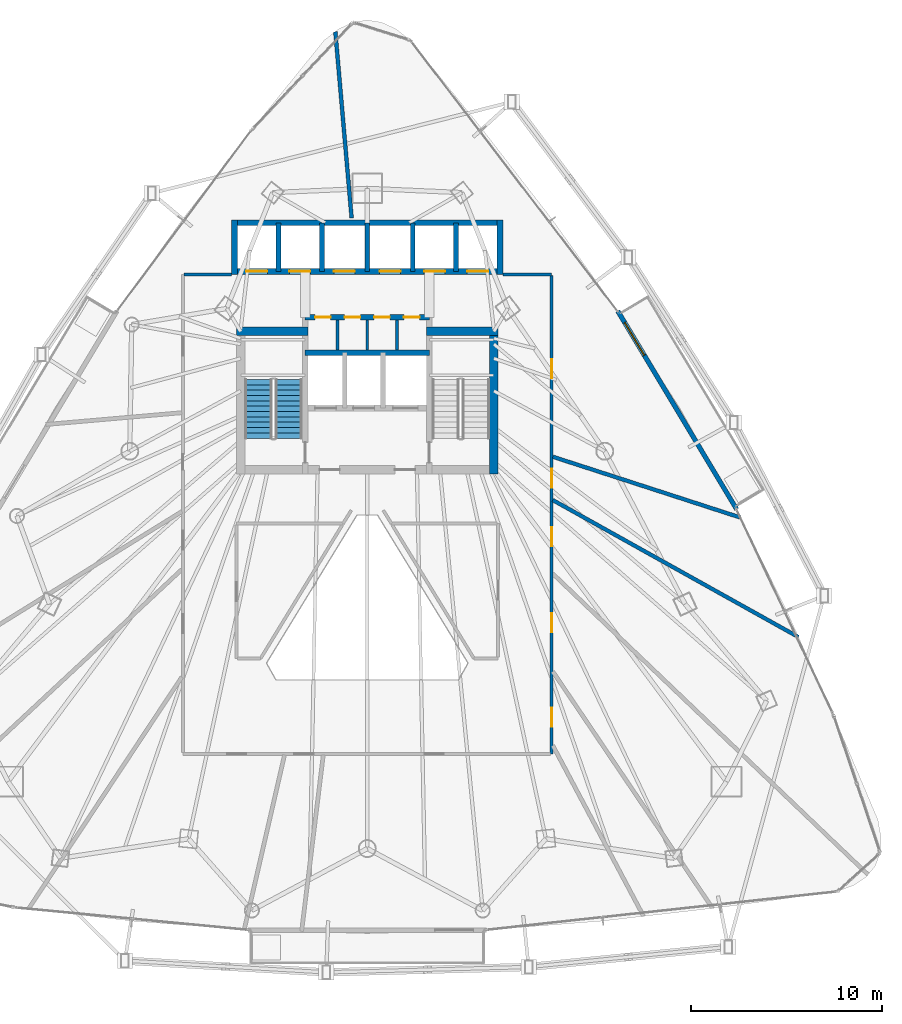
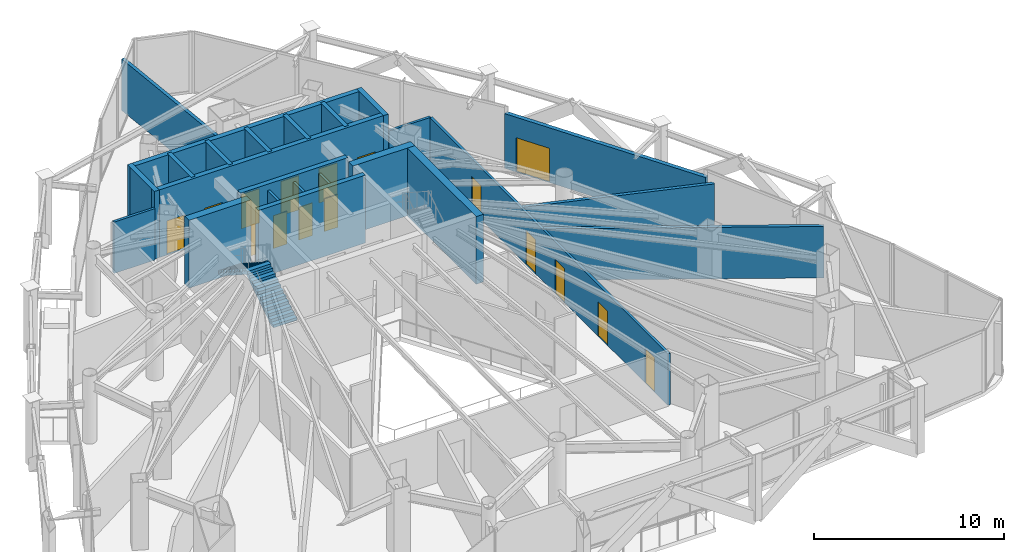
# One storey, part 29 of 33: 24 walls, 16 doors, 2 stair flights, 16 openings, 1 element without a shape of its own.
"""IFC4 building model written with IfcOpenShell, lengths in metres."""

from ifc_helpers import new_model, si_unit, direction, frame, frame_2d, origin, place, context, subcontext, project, spatial, polyline, rectangle, outline, extrude, material, layer, layer_set, type_object, element, fill, aggregate, save


model = new_model("IFC4")

# Units and contexts
model_context = context("Model", 3, precision=1e-05, world=origin(), true_north=direction((0.0, 1.0)))
body_context = subcontext(model_context, "Body", "Model", "MODEL_VIEW")
ifc_project = project(units=[si_unit("LENGTHUNIT", "METRE"), si_unit("AREAUNIT", "SQUARE_METRE"), si_unit("VOLUMEUNIT", "CUBIC_METRE"), si_unit("PLANEANGLEUNIT", "RADIAN"), si_unit("MASSUNIT", "GRAM", prefix="KILO")], contexts=[model_context])

# Site, building, storey
site_placement = place(None, origin())
site = spatial("IfcSite", under=ifc_project, at=site_placement, CompositionType="ELEMENT")
building_placement = place(site_placement, origin())
building = spatial("IfcBuilding", under=site, at=building_placement, Name="Orvanel Arch Residences", CompositionType="ELEMENT")
storey_placement = place(building_placement, frame((0.0, 0.0, 97.25)))
storey = spatial("IfcBuildingStorey", under=building, at=storey_placement, Name="L27", CompositionType="ELEMENT", Elevation=97.25)

# Wall, opening, door
ifc_material_1 = material(Name="Precast concrete N50 (50 MPa)", Category="concrete")
ifc_layer_1 = layer(ifc_material_1, 0.239990234375)
ifc_layer_set_1 = layer_set([ifc_layer_1], Name="Precast concrete N50 (50 MPa)")
wall_type_1 = type_object("IfcWallType", Name="EW-BAL-240", PredefinedType="SOLIDWALL", material=ifc_layer_set_1)
wall_1_placement = place(storey_placement, frame((52.333984375, 24.60595703125, 0.0), z_axis=(0.0, 0.0, 1.0), x_axis=(-0.514356228613, 0.857576626365, 0.0)))
wall_1 = element("IfcWall", 1, at=wall_1_placement, inside=storey, type_object=wall_type_1, Name="L27 Balcony Threshold Wall Face 3", PredefinedType="SOLIDWALL", context=body_context, shape_type="SweptSolid", body=[
    extrude(rectangle(XDim=12.0947265625, YDim=0.239990234375, at=frame_2d((6.04736328125, 0.0))), origin(), (0.0, 0.0, 1.0), 3.513916015625),
])
opening_1_placement = place(wall_1_placement, frame((9.39697265625, 0.0, 0.0)))
opening_1 = element("IfcOpeningElement", 2, at=opening_1_placement, cuts=wall_1, Name="Opening DT-200", PredefinedType="OPENING", context=body_context, shape_type="SweptSolid", body=[
    extrude(rectangle(XDim=2.0, YDim=2.199951171875, at=frame_2d((1.0, 1.10009765625))), frame((0.0, 0.1298828125, 0.0), z_axis=(0.0, -1.0, 0.0), x_axis=(1.0, 0.0, 0.0)), (0.0, 0.0, 1.0), 0.260009765625),
])
ifc_material_2 = material(Name="Bronze-anodised aluminium AA6063-T6", Category="aluminium")
door_type_1 = type_object("IfcDoorType", Name="DR-TER-2000", OperationType="NOTDEFINED", PredefinedType="DOOR", material=ifc_material_2)
door_1_placement = place(opening_1_placement, origin())
door_1 = element("IfcDoor", 3, at=door_1_placement, inside=storey, type_object=door_type_1, Name="DR-L27-BAL-F3 L27 Planted Balcony Access Door Face 3", OperationType="SINGLE_SWING_LEFT", OverallHeight=2.199951171875, OverallWidth=2.0, PredefinedType="DOOR", context=body_context, shape_type="SweptSolid", body=[
    extrude(rectangle(XDim=2.0, YDim=2.199951171875, at=frame_2d((1.0, 1.10009765625))), frame((0.0, 0.02490234375, 0.0), z_axis=(0.0, -1.0, 0.0), x_axis=(1.0, 0.0, 0.0)), (0.0, 0.0, 1.0), 0.050048828125),
])
fill(opening_1, door_1)

# Walls
ifc_material_3 = material(Name="Concrete N50 (50 MPa)", Category="concrete")
ifc_layer_2 = layer(ifc_material_3, 0.25)
ifc_layer_set_2 = layer_set([ifc_layer_2], Name="Concrete N50 (50 MPa)")
wall_type_2 = type_object("IfcWallType", Name="SW-CORE-250", PredefinedType="SHEAR", material=ifc_layer_set_2)
for number, where, z_axis, x_axis, name in (
    (4, (28.35009765625, 37.050048828125, 0.0), (0.0, 0.0, 1.0), (0.0, 1.0, 0.0), "L27 Passenger Lift Inter-Shaft Wall P13"),
    (5, (30.625, 37.050048828125, 0.0), (0.0, 0.0, 1.0), (0.0, 1.0, 0.0), "L27 Passenger Lift Inter-Shaft Wall P35"),
    (6, (33.0, 37.050048828125, 0.0), (0.0, 0.0, 1.0), (0.0, 1.0, 0.0), "L27 Passenger Lift Inter-Shaft Wall P56"),
    (7, (35.375, 37.050048828125, 0.0), (0.0, 0.0, 1.0), (0.0, 1.0, 0.0), "L27 Passenger Lift Inter-Shaft Wall P64"),
    (8, (37.64990234375, 37.050048828125, 0.0), (0.0, 0.0, 1.0), (0.0, 1.0, 0.0), "L27 Passenger Lift Inter-Shaft Wall P42"),
):
    element("IfcWall", number, at=place(storey_placement, frame(where, z_axis=z_axis, x_axis=x_axis)), inside=storey, type_object=wall_type_2, Name=name, PredefinedType="SHEAR", context=body_context, shape_type="SweptSolid", body=[
        extrude(rectangle(XDim=2.550048828125, YDim=0.25, at=frame_2d((1.27490234375, 0.0))), origin(), (0.0, 0.0, 1.0), 4.35009765625),
    ])
ifc_material_4 = material(Name="Concrete S80 (80 MPa)", Category="concrete")
ifc_layer_3 = layer(ifc_material_4, 0.300048828125)
ifc_layer_set_3 = layer_set([ifc_layer_3], Name="Concrete S80 (80 MPa)")
wall_type_3 = type_object("IfcWallType", Name="SW-CORE-300", PredefinedType="SHEAR", material=ifc_layer_set_3)
wall_2_placement = place(storey_placement, frame((29.75, 32.800048828125, 0.0), z_axis=(0.0, 0.0, 1.0), x_axis=(1.0, 0.0, 0.0)))
element("IfcWall", 9, at=wall_2_placement, inside=storey, type_object=wall_type_3, Name="L27 Emergency Lift Back Core Shear Wall", PredefinedType="SHEAR", context=body_context, shape_type="SweptSolid", body=[
    extrude(rectangle(XDim=6.5, YDim=0.300048828125, at=frame_2d((3.25, 0.0))), origin(), (0.0, 0.0, 1.0), 4.35009765625),
])

# Wall, openings, doors
wall_3_placement = place(storey_placement, frame((29.75, 34.64990234375, 0.0), z_axis=(0.0, 0.0, 1.0), x_axis=(1.0, 0.0, 0.0)))
wall_3 = element("IfcWall", 10, at=wall_3_placement, inside=storey, type_object=wall_type_3, Name="L27 Core Service Band North Shear Wall", PredefinedType="SHEAR", context=body_context, shape_type="SweptSolid", body=[
    extrude(rectangle(XDim=6.5, YDim=0.300048828125, at=frame_2d((3.25, 0.0))), origin(), (0.0, 0.0, 1.0), 4.35009765625),
])
opening_2_placement = place(wall_3_placement, frame((0.514892578125, 0.0, 0.0)))
opening_2 = element("IfcOpeningElement", 11, at=opening_2_placement, cuts=wall_3, Name="Opening DS-082", PredefinedType="OPENING", context=body_context, shape_type="SweptSolid", body=[
    extrude(rectangle(XDim=0.820068359375, YDim=2.10009765625, at=frame_2d((0.41015625, 1.050048828125))), frame((0.0, 0.159912109375, 0.0), z_axis=(0.0, -1.0, 0.0), x_axis=(1.0, 0.0, 0.0)), (0.0, 0.0, 1.0), 0.320068359375),
])
opening_3_placement = place(wall_3_placement, frame((2.06494140625, 0.0, 0.0)))
opening_3 = element("IfcOpeningElement", 12, at=opening_3_placement, cuts=wall_3, Name="Opening DS-082", PredefinedType="OPENING", context=body_context, shape_type="SweptSolid", body=[
    extrude(rectangle(XDim=0.820068359375, YDim=2.10009765625, at=frame_2d((0.41015625, 1.050048828125))), frame((0.0, 0.159912109375, 0.0), z_axis=(0.0, -1.0, 0.0), x_axis=(1.0, 0.0, 0.0)), (0.0, 0.0, 1.0), 0.320068359375),
])
opening_4_placement = place(wall_3_placement, frame((3.614990234375, 0.0, 0.0)))
opening_4 = element("IfcOpeningElement", 13, at=opening_4_placement, cuts=wall_3, Name="Opening DS-082", PredefinedType="OPENING", context=body_context, shape_type="SweptSolid", body=[
    extrude(rectangle(XDim=0.820068359375, YDim=2.10009765625, at=frame_2d((0.41015625, 1.050048828125))), frame((0.0, 0.159912109375, 0.0), z_axis=(0.0, -1.0, 0.0), x_axis=(1.0, 0.0, 0.0)), (0.0, 0.0, 1.0), 0.320068359375),
])
opening_5_placement = place(wall_3_placement, frame((5.1650390625, 0.0, 0.0)))
opening_5 = element("IfcOpeningElement", 14, at=opening_5_placement, cuts=wall_3, Name="Opening DS-082", PredefinedType="OPENING", context=body_context, shape_type="SweptSolid", body=[
    extrude(rectangle(XDim=0.820068359375, YDim=2.10009765625, at=frame_2d((0.41015625, 1.050048828125))), frame((0.0, 0.159912109375, 0.0), z_axis=(0.0, -1.0, 0.0), x_axis=(1.0, 0.0, 0.0)), (0.0, 0.0, 1.0), 0.320068359375),
])
ifc_material_5 = material(Name="Galvanised steel fire-resisting door assembly", Category="steel")
door_type_2 = type_object("IfcDoorType", Name="DR-SVC-820", OperationType="NOTDEFINED", PredefinedType="DOOR", material=ifc_material_5)
door_2_placement = place(opening_2_placement, origin())
door_2 = element("IfcDoor", 15, at=door_2_placement, inside=storey, type_object=door_type_2, Name="DR-L27-CSVC-1 L27 Linen Store Door", OperationType="SINGLE_SWING_LEFT", OverallHeight=2.10009765625, OverallWidth=0.820068359375, PredefinedType="DOOR", context=body_context, shape_type="SweptSolid", body=[
    extrude(rectangle(XDim=0.820068359375, YDim=2.10009765625, at=frame_2d((0.41015625, 1.050048828125))), frame((0.0, 0.02490234375, 0.0), z_axis=(0.0, -1.0, 0.0), x_axis=(1.0, 0.0, 0.0)), (0.0, 0.0, 1.0), 0.050048828125),
])
fill(opening_2, door_2)
door_3_placement = place(opening_3_placement, origin())
door_3 = element("IfcDoor", 16, at=door_3_placement, inside=storey, type_object=door_type_2, Name="DR-L27-CSVC-2 L27 Cleaner's Store Door", OperationType="SINGLE_SWING_LEFT", OverallHeight=2.10009765625, OverallWidth=0.820068359375, PredefinedType="DOOR", context=body_context, shape_type="SweptSolid", body=[
    extrude(rectangle(XDim=0.820068359375, YDim=2.10009765625, at=frame_2d((0.41015625, 1.050048828125))), frame((0.0, 0.02490234375, 0.0), z_axis=(0.0, -1.0, 0.0), x_axis=(1.0, 0.0, 0.0)), (0.0, 0.0, 1.0), 0.050048828125),
])
fill(opening_3, door_3)
door_4_placement = place(opening_4_placement, origin())
door_4 = element("IfcDoor", 17, at=door_4_placement, inside=storey, type_object=door_type_2, Name="DR-L27-CSVC-3 L27 Electrical Meter Store Door", OperationType="SINGLE_SWING_LEFT", OverallHeight=2.10009765625, OverallWidth=0.820068359375, PredefinedType="DOOR", context=body_context, shape_type="SweptSolid", body=[
    extrude(rectangle(XDim=0.820068359375, YDim=2.10009765625, at=frame_2d((0.41015625, 1.050048828125))), frame((0.0, 0.02490234375, 0.0), z_axis=(0.0, -1.0, 0.0), x_axis=(1.0, 0.0, 0.0)), (0.0, 0.0, 1.0), 0.050048828125),
])
fill(opening_4, door_4)
door_5_placement = place(opening_5_placement, origin())
door_5 = element("IfcDoor", 18, at=door_5_placement, inside=storey, type_object=door_type_2, Name="DR-L27-CSVC-4 L27 Housekeeping Supply Store Door", OperationType="SINGLE_SWING_LEFT", OverallHeight=2.10009765625, OverallWidth=0.820068359375, PredefinedType="DOOR", context=body_context, shape_type="SweptSolid", body=[
    extrude(rectangle(XDim=0.820068359375, YDim=2.10009765625, at=frame_2d((0.41015625, 1.050048828125))), frame((0.0, 0.02490234375, 0.0), z_axis=(0.0, -1.0, 0.0), x_axis=(1.0, 0.0, 0.0)), (0.0, 0.0, 1.0), 0.050048828125),
])
fill(opening_5, door_5)

wall_4_placement = place(storey_placement, frame((40.10009765625, 37.050048828125, 0.0), z_axis=(0.0, 0.0, 1.0), x_axis=(-1.0, 0.0, 0.0)))
wall_4 = element("IfcWall", 19, at=wall_4_placement, inside=storey, type_object=wall_type_3, Name="L27 Passenger Lift Bank Front Shear Wall", PredefinedType="SHEAR", context=body_context, shape_type="SweptSolid", body=[
    extrude(rectangle(XDim=14.2001953125, YDim=0.300048828125, at=frame_2d((7.10009765625, 0.0))), origin(), (0.0, 0.0, 1.0), 4.35009765625),
])
opening_6_placement = place(wall_4_placement, frame((12.324951171875, 0.0, 0.0)))
opening_6 = element("IfcOpeningElement", 20, at=opening_6_placement, cuts=wall_4, Name="Opening LD-110", PredefinedType="OPENING", context=body_context, shape_type="SweptSolid", body=[
    extrude(rectangle(XDim=1.10009765625, YDim=2.199951171875, at=frame_2d((0.550048828125, 1.10009765625))), frame((0.0, 0.159912109375, 0.0), z_axis=(0.0, -1.0, 0.0), x_axis=(1.0, 0.0, 0.0)), (0.0, 0.0, 1.0), 0.320068359375),
])
opening_7_placement = place(wall_4_placement, frame((0.77490234375, 0.0, 0.0)))
opening_7 = element("IfcOpeningElement", 21, at=opening_7_placement, cuts=wall_4, Name="Opening LD-110", PredefinedType="OPENING", context=body_context, shape_type="SweptSolid", body=[
    extrude(rectangle(XDim=1.10009765625, YDim=2.199951171875, at=frame_2d((0.550048828125, 1.10009765625))), frame((0.0, 0.159912109375, 0.0), z_axis=(0.0, -1.0, 0.0), x_axis=(1.0, 0.0, 0.0)), (0.0, 0.0, 1.0), 0.320068359375),
])
opening_8_placement = place(wall_4_placement, frame((10.074951171875, 0.0, 0.0)))
opening_8 = element("IfcOpeningElement", 22, at=opening_8_placement, cuts=wall_4, Name="Opening LD-110", PredefinedType="OPENING", context=body_context, shape_type="SweptSolid", body=[
    extrude(rectangle(XDim=1.10009765625, YDim=2.199951171875, at=frame_2d((0.550048828125, 1.10009765625))), frame((0.0, 0.159912109375, 0.0), z_axis=(0.0, -1.0, 0.0), x_axis=(1.0, 0.0, 0.0)), (0.0, 0.0, 1.0), 0.320068359375),
])
opening_9_placement = place(wall_4_placement, frame((3.02490234375, 0.0, 0.0)))
opening_9 = element("IfcOpeningElement", 23, at=opening_9_placement, cuts=wall_4, Name="Opening LD-110", PredefinedType="OPENING", context=body_context, shape_type="SweptSolid", body=[
    extrude(rectangle(XDim=1.10009765625, YDim=2.199951171875, at=frame_2d((0.550048828125, 1.10009765625))), frame((0.0, 0.159912109375, 0.0), z_axis=(0.0, -1.0, 0.0), x_axis=(1.0, 0.0, 0.0)), (0.0, 0.0, 1.0), 0.320068359375),
])
opening_10_placement = place(wall_4_placement, frame((7.75, 0.0, 0.0)))
opening_10 = element("IfcOpeningElement", 24, at=opening_10_placement, cuts=wall_4, Name="Opening LD-110", PredefinedType="OPENING", context=body_context, shape_type="SweptSolid", body=[
    extrude(rectangle(XDim=1.10009765625, YDim=2.199951171875, at=frame_2d((0.550048828125, 1.10009765625))), frame((0.0, 0.159912109375, 0.0), z_axis=(0.0, -1.0, 0.0), x_axis=(1.0, 0.0, 0.0)), (0.0, 0.0, 1.0), 0.320068359375),
])
opening_11_placement = place(wall_4_placement, frame((5.35009765625, 0.0, 0.0)))
opening_11 = element("IfcOpeningElement", 25, at=opening_11_placement, cuts=wall_4, Name="Opening LD-110", PredefinedType="OPENING", context=body_context, shape_type="SweptSolid", body=[
    extrude(rectangle(XDim=1.10009765625, YDim=2.199951171875, at=frame_2d((0.550048828125, 1.10009765625))), frame((0.0, 0.159912109375, 0.0), z_axis=(0.0, -1.0, 0.0), x_axis=(1.0, 0.0, 0.0)), (0.0, 0.0, 1.0), 0.320068359375),
])
door_type_3 = type_object("IfcDoorType", Name="DR-LFT-1100", OperationType="NOTDEFINED", PredefinedType="DOOR", material=ifc_material_5)
door_6_placement = place(opening_6_placement, origin())
door_6 = element("IfcDoor", 26, at=door_6_placement, inside=storey, type_object=door_type_3, Name="LD-P1-L27 L27 Passenger Lift P1 Sliding Landing Door", OperationType="DOUBLE_DOOR_SLIDING", OverallHeight=2.199951171875, OverallWidth=1.10009765625, PredefinedType="DOOR", context=body_context, shape_type="SweptSolid", body=[
    extrude(rectangle(XDim=1.10009765625, YDim=2.199951171875, at=frame_2d((0.550048828125, 1.10009765625))), frame((0.0, 0.02490234375, 0.0), z_axis=(0.0, -1.0, 0.0), x_axis=(1.0, 0.0, 0.0)), (0.0, 0.0, 1.0), 0.050048828125),
])
fill(opening_6, door_6)
door_7_placement = place(opening_7_placement, origin())
door_7 = element("IfcDoor", 27, at=door_7_placement, inside=storey, type_object=door_type_3, Name="LD-P2-L27 L27 Passenger Lift P2 Sliding Landing Door", OperationType="DOUBLE_DOOR_SLIDING", OverallHeight=2.199951171875, OverallWidth=1.10009765625, PredefinedType="DOOR", context=body_context, shape_type="SweptSolid", body=[
    extrude(rectangle(XDim=1.10009765625, YDim=2.199951171875, at=frame_2d((0.550048828125, 1.10009765625))), frame((0.0, 0.02490234375, 0.0), z_axis=(0.0, -1.0, 0.0), x_axis=(1.0, 0.0, 0.0)), (0.0, 0.0, 1.0), 0.050048828125),
])
fill(opening_7, door_7)
door_8_placement = place(opening_8_placement, origin())
door_8 = element("IfcDoor", 28, at=door_8_placement, inside=storey, type_object=door_type_3, Name="LD-P3-L27 L27 Passenger Lift P3 Sliding Landing Door", OperationType="DOUBLE_DOOR_SLIDING", OverallHeight=2.199951171875, OverallWidth=1.10009765625, PredefinedType="DOOR", context=body_context, shape_type="SweptSolid", body=[
    extrude(rectangle(XDim=1.10009765625, YDim=2.199951171875, at=frame_2d((0.550048828125, 1.10009765625))), frame((0.0, 0.02490234375, 0.0), z_axis=(0.0, -1.0, 0.0), x_axis=(1.0, 0.0, 0.0)), (0.0, 0.0, 1.0), 0.050048828125),
])
fill(opening_8, door_8)
door_9_placement = place(opening_9_placement, origin())
door_9 = element("IfcDoor", 29, at=door_9_placement, inside=storey, type_object=door_type_3, Name="LD-P4-L27 L27 Passenger Lift P4 Sliding Landing Door", OperationType="DOUBLE_DOOR_SLIDING", OverallHeight=2.199951171875, OverallWidth=1.10009765625, PredefinedType="DOOR", context=body_context, shape_type="SweptSolid", body=[
    extrude(rectangle(XDim=1.10009765625, YDim=2.199951171875, at=frame_2d((0.550048828125, 1.10009765625))), frame((0.0, 0.02490234375, 0.0), z_axis=(0.0, -1.0, 0.0), x_axis=(1.0, 0.0, 0.0)), (0.0, 0.0, 1.0), 0.050048828125),
])
fill(opening_9, door_9)
door_10_placement = place(opening_10_placement, origin())
door_10 = element("IfcDoor", 30, at=door_10_placement, inside=storey, type_object=door_type_3, Name="LD-P5-L27 L27 Passenger Lift P5 Sliding Landing Door", OperationType="DOUBLE_DOOR_SLIDING", OverallHeight=2.199951171875, OverallWidth=1.10009765625, PredefinedType="DOOR", context=body_context, shape_type="SweptSolid", body=[
    extrude(rectangle(XDim=1.10009765625, YDim=2.199951171875, at=frame_2d((0.550048828125, 1.10009765625))), frame((0.0, 0.02490234375, 0.0), z_axis=(0.0, -1.0, 0.0), x_axis=(1.0, 0.0, 0.0)), (0.0, 0.0, 1.0), 0.050048828125),
])
fill(opening_10, door_10)
door_11_placement = place(opening_11_placement, origin())
door_11 = element("IfcDoor", 31, at=door_11_placement, inside=storey, type_object=door_type_3, Name="LD-P6-L27 L27 Passenger Lift P6 Sliding Landing Door", OperationType="DOUBLE_DOOR_SLIDING", OverallHeight=2.199951171875, OverallWidth=1.10009765625, PredefinedType="DOOR", context=body_context, shape_type="SweptSolid", body=[
    extrude(rectangle(XDim=1.10009765625, YDim=2.199951171875, at=frame_2d((0.550048828125, 1.10009765625))), frame((0.0, 0.02490234375, 0.0), z_axis=(0.0, -1.0, 0.0), x_axis=(1.0, 0.0, 0.0)), (0.0, 0.0, 1.0), 0.050048828125),
])
fill(opening_11, door_11)

# Walls
wall_5_placement = place(storey_placement, frame((25.89990234375, 39.60009765625, 0.0), z_axis=(0.0, 0.0, 1.0), x_axis=(1.0, 0.0, 0.0)))
element("IfcWall", 32, at=wall_5_placement, inside=storey, type_object=wall_type_3, Name="L27 Passenger Lift Bank North Shear Wall", PredefinedType="SHEAR", context=body_context, shape_type="SweptSolid", body=[
    extrude(rectangle(XDim=14.2001953125, YDim=0.300048828125, at=frame_2d((7.10009765625, 0.0))), origin(), (0.0, 0.0, 1.0), 4.35009765625),
])
for number, where, z_axis, x_axis, name in (
    (33, (26.050048828125, 36.89990234375, 0.0), (0.0, 0.0, 1.0), (0.0, 1.0, 0.0), "L27 Passenger Lift Bank West Shear Wall"),
    (34, (39.949951171875, 36.89990234375, 0.0), (0.0, 0.0, 1.0), (0.0, 1.0, 0.0), "L27 Passenger Lift Bank East Shear Wall"),
):
    element("IfcWall", number, at=place(storey_placement, frame(where, z_axis=z_axis, x_axis=x_axis)), inside=storey, type_object=wall_type_3, Name=name, PredefinedType="SHEAR", context=body_context, shape_type="SweptSolid", body=[
        extrude(rectangle(XDim=2.85009765625, YDim=0.300048828125, at=frame_2d((1.425048828125, 0.0))), origin(), (0.0, 0.0, 1.0), 4.35009765625),
    ])
ifc_layer_4 = layer(ifc_material_4, 0.449951171875)
ifc_layer_set_4 = layer_set([ifc_layer_4], Name="Concrete S80 (80 MPa)")
wall_type_4 = type_object("IfcWallType", Name="SW-CORE-450", PredefinedType="SHEAR", material=ifc_layer_set_4)
wall_6_placement = place(storey_placement, frame((26.14990234375, 33.925048828125, 0.0), z_axis=(0.0, 0.0, 1.0), x_axis=(1.0, 0.0, 0.0)))
element("IfcWall", 35, at=wall_6_placement, inside=storey, type_object=wall_type_4, Name="L27 West Stair North Shear Wall", PredefinedType="SHEAR", context=body_context, shape_type="SweptSolid", body=[
    extrude(rectangle(XDim=3.75, YDim=0.449951171875, at=frame_2d((1.875, 0.0))), origin(), (0.0, 0.0, 1.0), 4.35009765625),
])
wall_7_placement = place(storey_placement, frame((39.625, 26.449951171875, 0.0), z_axis=(0.0, 0.0, 1.0), x_axis=(0.0, 1.0, 0.0)))
element("IfcWall", 36, at=wall_7_placement, inside=storey, type_object=wall_type_4, Name="L27 East Stair Shear Wall", PredefinedType="SHEAR", context=body_context, shape_type="SweptSolid", body=[
    extrude(rectangle(XDim=7.699951171875, YDim=0.449951171875, at=frame_2d((3.85009765625, 0.0))), origin(), (0.0, 0.0, 1.0), 4.35009765625),
])
wall_8_placement = place(storey_placement, frame((36.10009765625, 33.925048828125, 0.0), z_axis=(0.0, 0.0, 1.0), x_axis=(1.0, 0.0, 0.0)))
element("IfcWall", 37, at=wall_8_placement, inside=storey, type_object=wall_type_4, Name="L27 East Stair North Shear Wall", PredefinedType="SHEAR", context=body_context, shape_type="SweptSolid", body=[
    extrude(rectangle(XDim=3.75, YDim=0.449951171875, at=frame_2d((1.875, 0.0))), origin(), (0.0, 0.0, 1.0), 4.35009765625),
])
ifc_material_6 = material(Name="Fire-rated plasterboard lined steel stud partition", Category="steel")
ifc_layer_5 = layer(ifc_material_6, 0.14990234375)
ifc_layer_set_5 = layer_set([ifc_layer_5], Name="Fire-rated plasterboard lined steel stud partition")
wall_type_5 = type_object("IfcWallType", Name="W-COR-150", PredefinedType="PARTITIONING", material=ifc_layer_set_5)
wall_9_placement = place(storey_placement, frame((40.10009765625, 36.89990234375, 0.0), z_axis=(0.0, 0.0, 1.0), x_axis=(1.0, 0.0, 0.0)))
element("IfcWall", 38, at=wall_9_placement, inside=storey, type_object=wall_type_5, Name="L27 Community Corridor Wall", PredefinedType="PARTITIONING", context=body_context, shape_type="SweptSolid", body=[
    extrude(rectangle(XDim=2.5498046875, YDim=0.14990234375, at=frame_2d((1.27490234375, 0.0))), origin(), (0.0, 0.0, 1.0), 3.302978515625),
])

# Wall, openings, doors
wall_10_placement = place(storey_placement, frame((42.64990234375, 36.840087890625, 0.0), z_axis=(0.0, 0.0, 1.0), x_axis=(0.0, -1.0, 0.0)))
wall_10 = element("IfcWall", 39, at=wall_10_placement, inside=storey, type_object=wall_type_5, Name="L27 Community Corridor Wall", PredefinedType="PARTITIONING", context=body_context, shape_type="SweptSolid", body=[
    extrude(rectangle(XDim=25.0400390625, YDim=0.14990234375, at=frame_2d((12.52001953125, 0.0))), origin(), (0.0, 0.0, 1.0), 3.302978515625),
])
opening_12_placement = place(wall_10_placement, frame((13.178955078125, 0.0, 0.0)))
opening_12 = element("IfcOpeningElement", 40, at=opening_12_placement, cuts=wall_10, Name="Opening DP-100", PredefinedType="OPENING", context=body_context, shape_type="SweptSolid", body=[
    extrude(rectangle(XDim=1.0, YDim=2.199951171875, at=frame_2d((0.5, 1.10009765625))), frame((0.0, 0.0849609375, 0.0), z_axis=(0.0, -1.0, 0.0), x_axis=(1.0, 0.0, 0.0)), (0.0, 0.0, 1.0), 0.169921875),
])
opening_13_placement = place(wall_10_placement, frame((4.388916015625, 0.0, 0.0)))
opening_13 = element("IfcOpeningElement", 41, at=opening_13_placement, cuts=wall_10, Name="Opening DP-100", PredefinedType="OPENING", context=body_context, shape_type="SweptSolid", body=[
    extrude(rectangle(XDim=1.0, YDim=2.199951171875, at=frame_2d((0.5, 1.10009765625))), frame((0.0, 0.0849609375, 0.0), z_axis=(0.0, -1.0, 0.0), x_axis=(1.0, 0.0, 0.0)), (0.0, 0.0, 1.0), 0.169921875),
])
opening_14_placement = place(wall_10_placement, frame((22.631103515625, 0.0, 0.0)))
opening_14 = element("IfcOpeningElement", 42, at=opening_14_placement, cuts=wall_10, Name="Opening DP-100", PredefinedType="OPENING", context=body_context, shape_type="SweptSolid", body=[
    extrude(rectangle(XDim=1.0, YDim=2.199951171875, at=frame_2d((0.5, 1.10009765625))), frame((0.0, 0.0849609375, 0.0), z_axis=(0.0, -1.0, 0.0), x_axis=(1.0, 0.0, 0.0)), (0.0, 0.0, 1.0), 0.169921875),
])
opening_15_placement = place(wall_10_placement, frame((10.110107421875, 0.0, 0.0)))
opening_15 = element("IfcOpeningElement", 43, at=opening_15_placement, cuts=wall_10, Name="Opening DP-100", PredefinedType="OPENING", context=body_context, shape_type="SweptSolid", body=[
    extrude(rectangle(XDim=1.0, YDim=2.199951171875, at=frame_2d((0.5, 1.10009765625))), frame((0.0, 0.0849609375, 0.0), z_axis=(0.0, -1.0, 0.0), x_axis=(1.0, 0.0, 0.0)), (0.0, 0.0, 1.0), 0.169921875),
])
opening_16_placement = place(wall_10_placement, frame((17.681884765625, 0.0, 0.0)))
opening_16 = element("IfcOpeningElement", 44, at=opening_16_placement, cuts=wall_10, Name="Opening DP-100", PredefinedType="OPENING", context=body_context, shape_type="SweptSolid", body=[
    extrude(rectangle(XDim=1.0, YDim=2.199951171875, at=frame_2d((0.5, 1.10009765625))), frame((0.0, 0.0849609375, 0.0), z_axis=(0.0, -1.0, 0.0), x_axis=(1.0, 0.0, 0.0)), (0.0, 0.0, 1.0), 0.169921875),
])
ifc_material_7 = material(Name="Solid-core European oak veneer fire door leaf", Category="wood")
door_type_4 = type_object("IfcDoorType", Name="DR-POD-1000", OperationType="NOTDEFINED", PredefinedType="DOOR", material=ifc_material_7)
door_12_placement = place(opening_12_placement, origin())
door_12 = element("IfcDoor", 45, at=door_12_placement, inside=storey, type_object=door_type_4, Name="DR-L27-OF1-2 L27 Concierge Work Office 1 Door", OperationType="SINGLE_SWING_LEFT", OverallHeight=2.199951171875, OverallWidth=1.0, PredefinedType="DOOR", context=body_context, shape_type="SweptSolid", body=[
    extrude(rectangle(XDim=1.0, YDim=2.199951171875, at=frame_2d((0.5, 1.10009765625))), frame((0.0, 0.02490234375, 0.0), z_axis=(0.0, -1.0, 0.0), x_axis=(1.0, 0.0, 0.0)), (0.0, 0.0, 1.0), 0.050048828125),
])
fill(opening_12, door_12)
door_13_placement = place(opening_13_placement, origin())
door_13 = element("IfcDoor", 46, at=door_13_placement, inside=storey, type_object=door_type_4, Name="DR-L27-STR-4 L27 Community Archive Store Door", OperationType="SINGLE_SWING_LEFT", OverallHeight=2.199951171875, OverallWidth=1.0, PredefinedType="DOOR", context=body_context, shape_type="SweptSolid", body=[
    extrude(rectangle(XDim=1.0, YDim=2.199951171875, at=frame_2d((0.5, 1.10009765625))), frame((0.0, 0.02490234375, 0.0), z_axis=(0.0, -1.0, 0.0), x_axis=(1.0, 0.0, 0.0)), (0.0, 0.0, 1.0), 0.050048828125),
])
fill(opening_13, door_13)
door_14_placement = place(opening_14_placement, origin())
door_14 = element("IfcDoor", 47, at=door_14_placement, inside=storey, type_object=door_type_4, Name="DR-L27-LIB-8 L27 Resident Reading Library Door", OperationType="SINGLE_SWING_LEFT", OverallHeight=2.199951171875, OverallWidth=1.0, PredefinedType="DOOR", context=body_context, shape_type="SweptSolid", body=[
    extrude(rectangle(XDim=1.0, YDim=2.199951171875, at=frame_2d((0.5, 1.10009765625))), frame((0.0, 0.02490234375, 0.0), z_axis=(0.0, -1.0, 0.0), x_axis=(1.0, 0.0, 0.0)), (0.0, 0.0, 1.0), 0.050048828125),
])
fill(opening_14, door_14)
door_15_placement = place(opening_15_placement, origin())
door_15 = element("IfcDoor", 48, at=door_15_placement, inside=storey, type_object=door_type_4, Name="DR-L27-STRX9-9 L27 Community Equipment Store 9 Door", OperationType="SINGLE_SWING_LEFT", OverallHeight=2.199951171875, OverallWidth=1.0, PredefinedType="DOOR", context=body_context, shape_type="SweptSolid", body=[
    extrude(rectangle(XDim=1.0, YDim=2.199951171875, at=frame_2d((0.5, 1.10009765625))), frame((0.0, 0.02490234375, 0.0), z_axis=(0.0, -1.0, 0.0), x_axis=(1.0, 0.0, 0.0)), (0.0, 0.0, 1.0), 0.050048828125),
])
fill(opening_15, door_15)
door_16_placement = place(opening_16_placement, origin())
door_16 = element("IfcDoor", 49, at=door_16_placement, inside=storey, type_object=door_type_4, Name="DR-L27-STRX12-12 L27 Community Equipment Store 12 Door", OperationType="SINGLE_SWING_LEFT", OverallHeight=2.199951171875, OverallWidth=1.0, PredefinedType="DOOR", context=body_context, shape_type="SweptSolid", body=[
    extrude(rectangle(XDim=1.0, YDim=2.199951171875, at=frame_2d((0.5, 1.10009765625))), frame((0.0, 0.02490234375, 0.0), z_axis=(0.0, -1.0, 0.0), x_axis=(1.0, 0.0, 0.0)), (0.0, 0.0, 1.0), 0.050048828125),
])
fill(opening_16, door_16)

# Walls
wall_11_placement = place(storey_placement, frame((23.409912109375, 36.89990234375, 0.0), z_axis=(0.0, 0.0, 1.0), x_axis=(1.0, 0.0, 0.0)))
element("IfcWall", 50, at=wall_11_placement, inside=storey, type_object=wall_type_5, Name="L27 Community Corridor Wall", PredefinedType="PARTITIONING", context=body_context, shape_type="SweptSolid", body=[
    extrude(rectangle(XDim=2.489990234375, YDim=0.14990234375, at=frame_2d((1.2451171875, 0.0))), origin(), (0.0, 0.0, 1.0), 3.302978515625),
])
ifc_layer_6 = layer(ifc_material_6, 0.199951171875)
ifc_layer_set_6 = layer_set([ifc_layer_6], Name="Fire-rated plasterboard lined steel stud partition")
wall_type_6 = type_object("IfcWallType", Name="W-DEM-200", PredefinedType="PARTITIONING", material=ifc_layer_set_6)
wall_12_placement = place(storey_placement, frame((32.181884765625, 39.85009765625, 0.0), z_axis=(0.0, 0.0, 1.0), x_axis=(-0.087160449913, 0.996194286257, 0.0)))
element("IfcWall", 51, at=wall_12_placement, inside=storey, type_object=wall_type_6, Name="L27 Amenity Wall", PredefinedType="PARTITIONING", context=body_context, shape_type="SweptSolid", body=[
    extrude(rectangle(XDim=9.7841796875, YDim=0.199951171875, at=frame_2d((4.89208984375, 0.0))), origin(), (0.0, 0.0, 1.0), 3.302978515625),
])
wall_13_placement = place(storey_placement, frame((52.530029296875, 24.169921875, 0.0), z_axis=(0.0, 0.0, 1.0), x_axis=(-0.951273451181, 0.308348538311, 0.0)))
element("IfcWall", 52, at=wall_13_placement, inside=storey, type_object=wall_type_6, Name="L27 Amenity Wall", PredefinedType="PARTITIONING", context=body_context, shape_type="SweptSolid", body=[
    extrude(rectangle(XDim=10.322998046875, YDim=0.199951171875, at=frame_2d((5.16162109375, 0.0))), origin(), (0.0, 0.0, 1.0), 3.302978515625),
])
wall_14_placement = place(storey_placement, frame((42.7099609375, 25.0849609375, 0.0), z_axis=(0.0, 0.0, 1.0), x_axis=(0.873395205378, -0.487012130467, 0.0)))
element("IfcWall", 53, at=wall_14_placement, inside=storey, type_object=wall_type_6, Name="L27 Amenity Wall", PredefinedType="PARTITIONING", context=body_context, shape_type="SweptSolid", body=[
    extrude(rectangle(XDim=14.724365234375, YDim=0.199951171875, at=frame_2d((7.3623046875, 0.0))), origin(), (0.0, 0.0, 1.0), 3.302978515625),
])
ifc_layer_7 = layer(ifc_material_6, 0.14990234375)
ifc_layer_set_7 = layer_set([ifc_layer_7], Name="Fire-rated plasterboard lined steel stud partition")
wall_type_7 = type_object("IfcWallType", Name="W-ST-150", PredefinedType="PARTITIONING", material=ifc_layer_set_7)
for number, where, z_axis, x_axis, name in (
    (54, (31.449951171875, 32.93505859375, 0.0), (0.0, 0.0, 1.0), (0.0, 1.0, 0.0), "L27 Core Service Partition 1"),
    (55, (33.0, 32.93505859375, 0.0), (0.0, 0.0, 1.0), (0.0, 1.0, 0.0), "L27 Core Service Partition 2"),
    (56, (34.550048828125, 32.93505859375, 0.0), (0.0, 0.0, 1.0), (0.0, 1.0, 0.0), "L27 Core Service Partition 3"),
):
    element("IfcWall", number, at=place(storey_placement, frame(where, z_axis=z_axis, x_axis=x_axis)), inside=storey, type_object=wall_type_7, Name=name, PredefinedType="PARTITIONING", context=body_context, shape_type="SweptSolid", body=[
        extrude(rectangle(XDim=1.579833984375, YDim=0.14990234375, at=frame_2d((0.7900390625, 0.0))), origin(), (0.0, 0.0, 1.0), 3.949951171875),
    ])

# Stair, stair flights
stair_type = type_object("IfcStairType", Name="STR-DOG-181", PredefinedType="USERDEFINED", material=ifc_material_1)
stair_placement = place(storey_placement, origin())
stair = element("IfcStair", 57, at=stair_placement, inside=storey, type_object=stair_type, Name="L27 Fire-Isolated Core Exit Stair 1", ObjectType="TWO_RETURN_STAIR", PredefinedType="USERDEFINED")
stair_flight_type = type_object("IfcStairFlightType", Name="SFL-C1-181", PredefinedType="STRAIGHT", material=ifc_material_1)
stair_flight_1_placement = place(storey_placement, frame((28.889892578125, 28.320068359375, 0.0), z_axis=(0.0, 0.0, 1.0), x_axis=(0.0, 1.0, 0.0)))
stair_flight_1 = element("IfcStairFlight", 58, at=stair_flight_1_placement, type_object=stair_flight_type, Name="ST-1 flight 1", NumberOfRisers=12, NumberOfTreads=11, PredefinedType="STRAIGHT", RiserHeight=0.18125, TreadLength=0.28, context=body_context, shape_type="SweptSolid", body=[
    extrude(outline(polyline([(0.0, 0.0), (0.0, 0.18115234375), (0.280029296875, 0.18115234375), (0.280029296875, 0.362548828125), (0.56005859375, 0.362548828125), (0.56005859375, 0.543701171875), (0.840087890625, 0.543701171875), (0.840087890625, 0.72509765625), (1.1201171875, 0.72509765625), (1.1201171875, 0.90625), (1.39990234375, 0.90625), (1.39990234375, 1.08740234375), (1.679931640625, 1.08740234375), (1.679931640625, 1.268798828125), (1.9599609375, 1.268798828125), (1.9599609375, 1.449951171875), (2.239990234375, 1.449951171875), (2.239990234375, 1.63134765625), (2.52001953125, 1.63134765625), (2.52001953125, 1.8125), (2.800048828125, 1.8125), (2.800048828125, 1.99365234375), (3.080078125, 1.99365234375), (3.080078125, 2.175048828125), (3.080078125, 1.815185546875), (0.27587890625, 0.0), (0.0, 0.0)])), frame((0.0, 0.7099609375, 0.0), z_axis=(0.0, -1.0, 0.0), x_axis=(1.0, 0.0, 0.0)), (0.0, 0.0, 1.0), 1.419921875),
])
stair_flight_2_placement = place(storey_placement, frame((27.31005859375, 31.39990234375, 2.175048828125), z_axis=(0.0, 0.0, 1.0), x_axis=(0.0, -1.0, 0.0)))
stair_flight_2 = element("IfcStairFlight", 59, at=stair_flight_2_placement, type_object=stair_flight_type, Name="ST-1 flight 2", NumberOfRisers=12, NumberOfTreads=11, PredefinedType="STRAIGHT", RiserHeight=0.18125, TreadLength=0.28, context=body_context, shape_type="SweptSolid", body=[
    extrude(outline(polyline([(0.0, 0.0), (0.0, 0.18115234375), (0.280029296875, 0.18115234375), (0.280029296875, 0.362548828125), (0.56005859375, 0.362548828125), (0.56005859375, 0.543701171875), (0.840087890625, 0.543701171875), (0.840087890625, 0.72509765625), (1.1201171875, 0.72509765625), (1.1201171875, 0.90625), (1.39990234375, 0.90625), (1.39990234375, 1.08740234375), (1.679931640625, 1.08740234375), (1.679931640625, 1.268798828125), (1.9599609375, 1.268798828125), (1.9599609375, 1.449951171875), (2.239990234375, 1.449951171875), (2.239990234375, 1.63134765625), (2.52001953125, 1.63134765625), (2.52001953125, 1.8125), (2.800048828125, 1.8125), (2.800048828125, 1.99365234375), (3.080078125, 1.99365234375), (3.080078125, 2.175048828125), (3.080078125, 1.815185546875), (0.27587890625, 0.0), (0.0, 0.0)])), frame((0.0, 0.7099609375, 0.0), z_axis=(0.0, -1.0, 0.0), x_axis=(1.0, 0.0, 0.0)), (0.0, 0.0, 1.0), 1.419921875),
])
aggregate(stair, [stair_flight_1, stair_flight_2])

save(model, "model.ifc")
